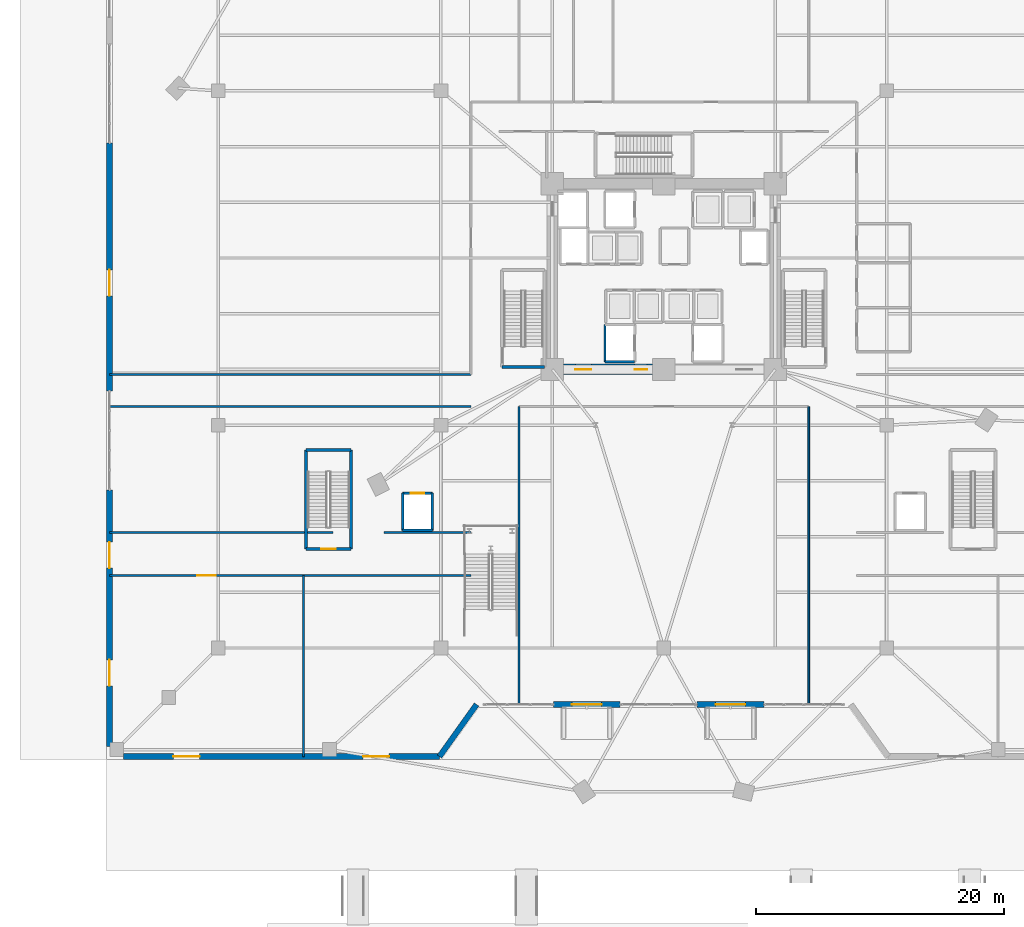
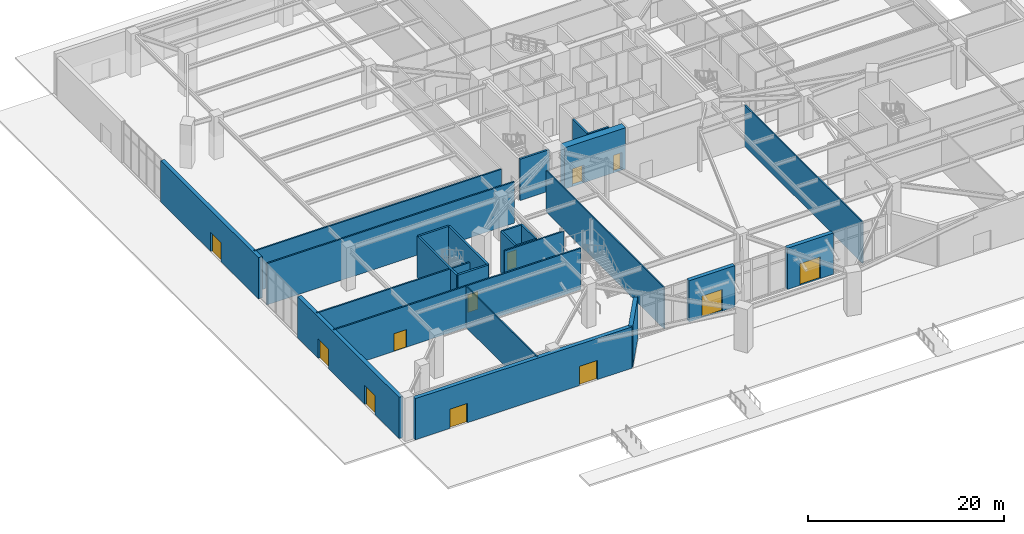
# One storey, part 17 of 30: 27 walls, 12 doors, 12 openings.
"""IFC4 building model written with IfcOpenShell, lengths in metres."""

from ifc_helpers import new_model, si_unit, direction, frame, frame_2d, origin, place, context, subcontext, project, spatial, rectangle, extrude, source, transform, mapped, material, layer, layer_set, type_object, element, fill, save


model = new_model("IFC4")

# Units and contexts
model_context = context("Model", 3, precision=1e-05, world=origin(), true_north=direction((0.0, 1.0)))
body_context = subcontext(model_context, "Body", "Model", "MODEL_VIEW")
ifc_project = project(units=[si_unit("LENGTHUNIT", "METRE"), si_unit("AREAUNIT", "SQUARE_METRE"), si_unit("VOLUMEUNIT", "CUBIC_METRE"), si_unit("PLANEANGLEUNIT", "RADIAN"), si_unit("MASSUNIT", "GRAM", prefix="KILO")], contexts=[model_context])

# Site, building, storey
site_placement = place(None, origin())
site = spatial("IfcSite", under=ifc_project, at=site_placement, CompositionType="ELEMENT")
building_placement = place(site_placement, origin())
building = spatial("IfcBuilding", under=site, at=building_placement, Name="Liaohun Quay Tower", CompositionType="ELEMENT")
storey_placement = place(building_placement, origin())
storey = spatial("IfcBuildingStorey", under=building, at=storey_placement, Name="L01", CompositionType="ELEMENT", Elevation=0.0)

# Wall, openings, doors
ifc_material_1 = material(Name="Concrete C60", Category="concrete")
ifc_layer_1 = layer(ifc_material_1, 0.85009765625, Name="Concrete C60", Category="concrete")
ifc_layer_set_1 = layer_set([ifc_layer_1], Name="Concrete C60")
wall_type_1 = type_object("IfcWallType", Name="WAL-COR-Z1", PredefinedType="SHEAR", material=ifc_layer_set_1)
wall_1_placement = place(storey_placement, frame((59.10009765625, 46.5, 0.0), z_axis=(0.0, 0.0, 1.0), x_axis=(-1.0, 0.0, 0.0)))
wall_1 = element("IfcWall", 1, at=wall_1_placement, inside=storey, type_object=wall_type_1, Name="L01 Central Core Shear Wall S-W", PredefinedType="SHEAR", context=body_context, shape_type="SweptSolid", body=[
    extrude(rectangle(XDim=7.2001953125, YDim=0.85009765625, at=frame_2d((3.60009765625, 0.0))), origin(), (0.0, 0.0, 1.0), 5.14990234375),
])
shared_shape_1 = source(origin(), body_context, "Body", "SweptSolid", [
    extrude(rectangle(XDim=1.300048828125, YDim=2.199951171875, at=frame_2d((0.64990234375, 1.10009765625))), frame((0.0, 0.43505859375, 0.0), z_axis=(0.0, -1.0, 0.0), x_axis=(1.0, 0.0, 0.0)), (0.0, 0.0, 1.0), 0.8701171875),
])
opening_1_placement = place(wall_1_placement, frame((4.949951171875, 0.0, 0.0)))
opening_1 = element("IfcOpeningElement", 2, at=opening_1_placement, cuts=wall_1, Name="Opening FD1", PredefinedType="OPENING", context=body_context, shape_type="MappedRepresentation", body=[
    mapped(shared_shape_1, transform((0.0, 0.0, 0.0), x_axis=(1.0, 0.0, 0.0), y_axis=(0.0, 1.0, 0.0), z_axis=(0.0, 0.0, 1.0), scale=1.0)),
])
shared_shape_2 = source(origin(), body_context, "Body", "SweptSolid", [
    extrude(rectangle(XDim=1.0, YDim=2.199951171875, at=frame_2d((0.5, 1.10009765625))), frame((0.0, 0.43505859375, 0.0), z_axis=(0.0, -1.0, 0.0), x_axis=(1.0, 0.0, 0.0)), (0.0, 0.0, 1.0), 0.8701171875),
])
opening_2_placement = place(wall_1_placement, frame((0.449951171875, 0.0, 0.0)))
opening_2 = element("IfcOpeningElement", 3, at=opening_2_placement, cuts=wall_1, Name="Opening FD2", PredefinedType="OPENING", context=body_context, shape_type="MappedRepresentation", body=[
    mapped(shared_shape_2, transform((0.0, 0.0, 0.0), x_axis=(1.0, 0.0, 0.0), y_axis=(0.0, 1.0, 0.0), z_axis=(0.0, 0.0, 1.0), scale=1.0)),
])
ifc_material_2 = material(Name="Galvanised steel smokeproof fire door", Category="steel")
door_type_1 = type_object("IfcDoorType", Name="DOR-FFL-1300", OperationType="NOTDEFINED", PredefinedType="DOOR", material=ifc_material_2)
shared_shape_3 = source(origin(), body_context, "Body", "SweptSolid", [
    extrude(rectangle(XDim=1.300048828125, YDim=2.199951171875, at=frame_2d((0.64990234375, 1.10009765625))), frame((0.0, 0.02490234375, 0.0), z_axis=(0.0, -1.0, 0.0), x_axis=(1.0, 0.0, 0.0)), (0.0, 0.0, 1.0), 0.050048828125),
])
door_1_placement = place(opening_1_placement, origin())
door_1 = element("IfcDoor", 4, at=door_1_placement, inside=storey, type_object=door_type_1, Name="L01 West Core Lift Lobby Smokeproof Door", OperationType="SINGLE_SWING_RIGHT", OverallHeight=2.199951171875, OverallWidth=1.300048828125, PredefinedType="DOOR", context=body_context, shape_type="MappedRepresentation", body=[
    mapped(shared_shape_3, transform((0.0, 0.0, 0.0), x_axis=(1.0, 0.0, 0.0), y_axis=(0.0, 1.0, 0.0), z_axis=(0.0, 0.0, 1.0), scale=1.0)),
])
fill(opening_1, door_1)
ifc_material_3 = material(Name="Galvanised steel smokeproof lobby fire door", Category="steel")
door_type_2 = type_object("IfcDoorType", Name="DOR-FFL-1000", OperationType="NOTDEFINED", PredefinedType="DOOR", material=ifc_material_3)
shared_shape_4 = source(origin(), body_context, "Body", "SweptSolid", [
    extrude(rectangle(XDim=1.0, YDim=2.199951171875, at=frame_2d((0.5, 1.10009765625))), frame((0.0, 0.02490234375, 0.0), z_axis=(0.0, -1.0, 0.0), x_axis=(1.0, 0.0, 0.0)), (0.0, 0.0, 1.0), 0.050048828125),
])
door_2_placement = place(opening_2_placement, origin())
door_2 = element("IfcDoor", 5, at=door_2_placement, inside=storey, type_object=door_type_2, Name="L01 South Firefighting Lobby Smokeproof Door", OperationType="SINGLE_SWING_LEFT", OverallHeight=2.199951171875, OverallWidth=1.0, PredefinedType="DOOR", context=body_context, shape_type="MappedRepresentation", body=[
    mapped(shared_shape_4, transform((0.0, 0.0, 0.0), x_axis=(1.0, 0.0, 0.0), y_axis=(0.0, 1.0, 0.0), z_axis=(0.0, 0.0, 1.0), scale=1.0)),
])
fill(opening_2, door_2)

# Wall
ifc_material_4 = material(Name="Precast concrete C50 with granite facing", Category="masonry")
ifc_layer_2 = layer(ifc_material_4, 0.4599609375, Name="Precast concrete C50 with granite facing", Category="masonry")
ifc_layer_set_2 = layer_set([ifc_layer_2], Name="Precast concrete C50 with granite facing")
wall_type_2 = type_object("IfcWallType", Name="WAL-EXT-POD", PredefinedType="SOLIDWALL", material=ifc_layer_set_2)
wall_2_placement = place(storey_placement, frame((41.882080078125, 15.22998046875, 0.0), z_axis=(0.0, 0.0, 1.0), x_axis=(0.581242668191, 0.813730275137, 0.0)))
element("IfcWall", 6, at=wall_2_placement, inside=storey, type_object=wall_type_2, Name="L01 Podium Precast Facade Wall 01", PredefinedType="SOLIDWALL", context=body_context, shape_type="SweptSolid", body=[
    extrude(rectangle(XDim=5.161376953125, YDim=0.4599609375, at=frame_2d((2.58056640625, 0.0))), origin(), (0.0, 0.0, 1.0), 5.14990234375),
])

# Wall, opening, door
wall_3_placement = place(storey_placement, frame((51.08203125, 19.429931640625, 0.0), z_axis=(0.0, 0.0, 1.0), x_axis=(1.0, 0.0, 0.0)))
wall_3 = element("IfcWall", 7, at=wall_3_placement, inside=storey, type_object=wall_type_2, Name="L01 Waterfront Entrance Portal Wall E", PredefinedType="SOLIDWALL", context=body_context, shape_type="SweptSolid", body=[
    extrude(rectangle(XDim=5.39990234375, YDim=0.4599609375, at=frame_2d((2.699951171875, 0.0))), origin(), (0.0, 0.0, 1.0), 5.14990234375),
])
shared_shape_5 = source(origin(), body_context, "Body", "SweptSolid", [
    extrude(rectangle(XDim=2.39990234375, YDim=2.699951171875, at=frame_2d((1.199951171875, 1.35009765625))), frame((0.0, 0.239990234375, 0.0), z_axis=(0.0, -1.0, 0.0), x_axis=(1.0, 0.0, 0.0)), (0.0, 0.0, 1.0), 0.47998046875),
])
opening_3_placement = place(wall_3_placement, frame((1.5, 0.0, 0.0)))
opening_3 = element("IfcOpeningElement", 8, at=opening_3_placement, cuts=wall_3, Name="Opening ED1", PredefinedType="OPENING", context=body_context, shape_type="MappedRepresentation", body=[
    mapped(shared_shape_5, transform((0.0, 0.0, 0.0), x_axis=(1.0, 0.0, 0.0), y_axis=(0.0, 1.0, 0.0), z_axis=(0.0, 0.0, 1.0), scale=1.0)),
])
ifc_material_5 = material(Name="Thermally broken bronze-anodised aluminium and glass", Category="aluminium")
door_type_3 = type_object("IfcDoorType", Name="DOR-ENTR-2400", OperationType="DOUBLE_DOOR_SINGLE_SWING", PredefinedType="DOOR", material=ifc_material_5)
shared_shape_6 = source(origin(), body_context, "Body", "SweptSolid", [
    extrude(rectangle(XDim=2.39990234375, YDim=2.699951171875, at=frame_2d((1.199951171875, 1.35009765625))), frame((0.0, 0.02490234375, 0.0), z_axis=(0.0, -1.0, 0.0), x_axis=(1.0, 0.0, 0.0)), (0.0, 0.0, 1.0), 0.050048828125),
])
door_3_placement = place(opening_3_placement, frame((2.39990234375, 0.0, 0.0), z_axis=(0.0, 0.0, 1.0), x_axis=(-1.0, 0.0, 0.0)))
door_3 = element("IfcDoor", 9, at=door_3_placement, inside=storey, type_object=door_type_3, Name="L01 Waterfront Main Entrance Door E", OperationType="DOUBLE_DOOR_SINGLE_SWING", OverallHeight=2.699951171875, OverallWidth=2.39990234375, PredefinedType="DOOR", context=body_context, shape_type="MappedRepresentation", body=[
    mapped(shared_shape_6, transform((0.0, 0.0, 0.0), x_axis=(1.0, 0.0, 0.0), y_axis=(0.0, 1.0, 0.0), z_axis=(0.0, 0.0, 1.0), scale=1.0)),
])
fill(opening_3, door_3)

wall_4_placement = place(storey_placement, frame((62.681884765625, 19.429931640625, 0.0), z_axis=(0.0, 0.0, 1.0), x_axis=(1.0, 0.0, 0.0)))
wall_4 = element("IfcWall", 10, at=wall_4_placement, inside=storey, type_object=wall_type_2, Name="L01 Waterfront Entrance Portal Wall W", PredefinedType="SOLIDWALL", context=body_context, shape_type="SweptSolid", body=[
    extrude(rectangle(XDim=5.400146484375, YDim=0.4599609375, at=frame_2d((2.7001953125, 0.0))), origin(), (0.0, 0.0, 1.0), 5.14990234375),
])
opening_4_placement = place(wall_4_placement, frame((1.5, 0.0, 0.0)))
opening_4 = element("IfcOpeningElement", 11, at=opening_4_placement, cuts=wall_4, Name="Opening ED1", PredefinedType="OPENING", context=body_context, shape_type="MappedRepresentation", body=[
    mapped(shared_shape_5, transform((0.0, 0.0, 0.0), x_axis=(1.0, 0.0, 0.0), y_axis=(0.0, 1.0, 0.0), z_axis=(0.0, 0.0, 1.0), scale=1.0)),
])
door_4_placement = place(opening_4_placement, frame((2.39990234375, 0.0, 0.0), z_axis=(0.0, 0.0, 1.0), x_axis=(-1.0, 0.0, 0.0)))
door_4 = element("IfcDoor", 12, at=door_4_placement, inside=storey, type_object=door_type_3, Name="L01 Waterfront Main Entrance Door W", OperationType="DOUBLE_DOOR_SINGLE_SWING", OverallHeight=2.699951171875, OverallWidth=2.39990234375, PredefinedType="DOOR", context=body_context, shape_type="MappedRepresentation", body=[
    mapped(shared_shape_6, transform((0.0, 0.0, 0.0), x_axis=(1.0, 0.0, 0.0), y_axis=(0.0, 1.0, 0.0), z_axis=(0.0, 0.0, 1.0), scale=1.0)),
])
fill(opening_4, door_4)

wall_5_placement = place(storey_placement, frame((15.22998046875, 64.77001953125, 0.0), z_axis=(0.0, 0.0, 1.0), x_axis=(0.0, -1.0, 0.0)))
wall_5 = element("IfcWall", 13, at=wall_5_placement, inside=storey, type_object=wall_type_2, Name="L01 Podium Precast Facade Wall 7-2", PredefinedType="SOLIDWALL", context=body_context, shape_type="SweptSolid", body=[
    extrude(rectangle(XDim=20.0, YDim=0.4599609375, at=frame_2d((10.0, 0.0))), origin(), (0.0, 0.0, 1.0), 5.14990234375),
])
shared_shape_7 = source(origin(), body_context, "Body", "SweptSolid", [
    extrude(rectangle(XDim=2.10009765625, YDim=2.39990234375, at=frame_2d((1.050048828125, 1.199951171875))), frame((0.0, 0.239990234375, 0.0), z_axis=(0.0, -1.0, 0.0), x_axis=(1.0, 0.0, 0.0)), (0.0, 0.0, 1.0), 0.47998046875),
])
opening_5_placement = place(wall_5_placement, frame((10.219970703125, 0.0, 0.0)))
opening_5 = element("IfcOpeningElement", 14, at=opening_5_placement, cuts=wall_5, Name="Opening EX", PredefinedType="OPENING", context=body_context, shape_type="MappedRepresentation", body=[
    mapped(shared_shape_7, transform((0.0, 0.0, 0.0), x_axis=(1.0, 0.0, 0.0), y_axis=(0.0, 1.0, 0.0), z_axis=(0.0, 0.0, 1.0), scale=1.0)),
])
ifc_material_6 = material(Name="Thermally broken glazed steel", Category="steel")
door_type_4 = type_object("IfcDoorType", Name="DOR-EXIT-2100", OperationType="DOUBLE_DOOR_SINGLE_SWING", PredefinedType="DOOR", material=ifc_material_6)
shared_shape_8 = source(origin(), body_context, "Body", "SweptSolid", [
    extrude(rectangle(XDim=2.10009765625, YDim=2.39990234375, at=frame_2d((1.050048828125, 1.199951171875))), frame((0.0, 0.02490234375, 0.0), z_axis=(0.0, -1.0, 0.0), x_axis=(1.0, 0.0, 0.0)), (0.0, 0.0, 1.0), 0.050048828125),
])
door_5_placement = place(opening_5_placement, frame((2.10009765625, 0.0, 0.0), z_axis=(0.0, 0.0, 1.0), x_axis=(-1.0, 0.0, 0.0)))
door_5 = element("IfcDoor", 15, at=door_5_placement, inside=storey, type_object=door_type_4, Name="L01 West Exit Discharge Door 4", OperationType="DOUBLE_DOOR_SINGLE_SWING", OverallHeight=2.39990234375, OverallWidth=2.10009765625, PredefinedType="DOOR", context=body_context, shape_type="MappedRepresentation", body=[
    mapped(shared_shape_8, transform((0.0, 0.0, 0.0), x_axis=(1.0, 0.0, 0.0), y_axis=(0.0, 1.0, 0.0), z_axis=(0.0, 0.0, 1.0), scale=1.0)),
])
fill(opening_5, door_5)

# Wall, openings, doors
wall_6_placement = place(storey_placement, frame((15.22998046875, 36.77001953125, 0.0), z_axis=(0.0, 0.0, 1.0), x_axis=(0.0, -1.0, 0.0)))
wall_6 = element("IfcWall", 16, at=wall_6_placement, inside=storey, type_object=wall_type_2, Name="L01 Podium Precast Facade Wall 7-3", PredefinedType="SOLIDWALL", context=body_context, shape_type="SweptSolid", body=[
    extrude(rectangle(XDim=20.739990234375, YDim=0.4599609375, at=frame_2d((10.3701171875, 0.0))), origin(), (0.0, 0.0, 1.0), 5.14990234375),
])
opening_6_placement = place(wall_6_placement, frame((13.719970703125, 0.0, 0.0)))
opening_6 = element("IfcOpeningElement", 17, at=opening_6_placement, cuts=wall_6, Name="Opening EX", PredefinedType="OPENING", context=body_context, shape_type="MappedRepresentation", body=[
    mapped(shared_shape_7, transform((0.0, 0.0, 0.0), x_axis=(1.0, 0.0, 0.0), y_axis=(0.0, 1.0, 0.0), z_axis=(0.0, 0.0, 1.0), scale=1.0)),
])
opening_7_placement = place(wall_6_placement, frame((4.219970703125, 0.0, 0.0)))
opening_7 = element("IfcOpeningElement", 18, at=opening_7_placement, cuts=wall_6, Name="Opening EX", PredefinedType="OPENING", context=body_context, shape_type="MappedRepresentation", body=[
    mapped(shared_shape_7, transform((0.0, 0.0, 0.0), x_axis=(1.0, 0.0, 0.0), y_axis=(0.0, 1.0, 0.0), z_axis=(0.0, 0.0, 1.0), scale=1.0)),
])
door_6_placement = place(opening_6_placement, frame((2.10009765625, 0.0, 0.0), z_axis=(0.0, 0.0, 1.0), x_axis=(-1.0, 0.0, 0.0)))
door_6 = element("IfcDoor", 19, at=door_6_placement, inside=storey, type_object=door_type_4, Name="L01 West Exit Discharge Door 1", OperationType="DOUBLE_DOOR_SINGLE_SWING", OverallHeight=2.39990234375, OverallWidth=2.10009765625, PredefinedType="DOOR", context=body_context, shape_type="MappedRepresentation", body=[
    mapped(shared_shape_8, transform((0.0, 0.0, 0.0), x_axis=(1.0, 0.0, 0.0), y_axis=(0.0, 1.0, 0.0), z_axis=(0.0, 0.0, 1.0), scale=1.0)),
])
fill(opening_6, door_6)
door_7_placement = place(opening_7_placement, frame((2.10009765625, 0.0, 0.0), z_axis=(0.0, 0.0, 1.0), x_axis=(-1.0, 0.0, 0.0)))
door_7 = element("IfcDoor", 20, at=door_7_placement, inside=storey, type_object=door_type_4, Name="L01 West Exit Discharge Door 2", OperationType="DOUBLE_DOOR_SINGLE_SWING", OverallHeight=2.39990234375, OverallWidth=2.10009765625, PredefinedType="DOOR", context=body_context, shape_type="MappedRepresentation", body=[
    mapped(shared_shape_8, transform((0.0, 0.0, 0.0), x_axis=(1.0, 0.0, 0.0), y_axis=(0.0, 1.0, 0.0), z_axis=(0.0, 0.0, 1.0), scale=1.0)),
])
fill(opening_7, door_7)

wall_7_placement = place(storey_placement, frame((16.340087890625, 15.22998046875, 0.0), z_axis=(0.0, 0.0, 1.0), x_axis=(1.0, 0.0, 0.0)))
wall_7 = element("IfcWall", 21, at=wall_7_placement, inside=storey, type_object=wall_type_2, Name="L01 Podium Precast Facade Wall 08", PredefinedType="SOLIDWALL", context=body_context, shape_type="SweptSolid", body=[
    extrude(rectangle(XDim=25.5419921875, YDim=0.4599609375, at=frame_2d((12.77099609375, 0.0))), origin(), (0.0, 0.0, 1.0), 5.14990234375),
])
opening_8_placement = place(wall_7_placement, frame((4.05810546875, 0.0, 0.0)))
opening_8 = element("IfcOpeningElement", 22, at=opening_8_placement, cuts=wall_7, Name="Opening EX", PredefinedType="OPENING", context=body_context, shape_type="MappedRepresentation", body=[
    mapped(shared_shape_7, transform((0.0, 0.0, 0.0), x_axis=(1.0, 0.0, 0.0), y_axis=(0.0, 1.0, 0.0), z_axis=(0.0, 0.0, 1.0), scale=1.0)),
])
opening_9_placement = place(wall_7_placement, frame((19.384033203125, 0.0, 0.0)))
opening_9 = element("IfcOpeningElement", 23, at=opening_9_placement, cuts=wall_7, Name="Opening EX", PredefinedType="OPENING", context=body_context, shape_type="MappedRepresentation", body=[
    mapped(shared_shape_7, transform((0.0, 0.0, 0.0), x_axis=(1.0, 0.0, 0.0), y_axis=(0.0, 1.0, 0.0), z_axis=(0.0, 0.0, 1.0), scale=1.0)),
])
door_8_placement = place(opening_8_placement, frame((2.10009765625, 0.0, 0.0), z_axis=(0.0, 0.0, 1.0), x_axis=(-1.0, 0.0, 0.0)))
door_8 = element("IfcDoor", 24, at=door_8_placement, inside=storey, type_object=door_type_4, Name="L01 SW Promenade Exit Discharge Door 1", OperationType="DOUBLE_DOOR_SINGLE_SWING", OverallHeight=2.39990234375, OverallWidth=2.10009765625, PredefinedType="DOOR", context=body_context, shape_type="MappedRepresentation", body=[
    mapped(shared_shape_8, transform((0.0, 0.0, 0.0), x_axis=(1.0, 0.0, 0.0), y_axis=(0.0, 1.0, 0.0), z_axis=(0.0, 0.0, 1.0), scale=1.0)),
])
fill(opening_8, door_8)
door_9_placement = place(opening_9_placement, frame((2.10009765625, 0.0, 0.0), z_axis=(0.0, 0.0, 1.0), x_axis=(-1.0, 0.0, 0.0)))
door_9 = element("IfcDoor", 25, at=door_9_placement, inside=storey, type_object=door_type_4, Name="L01 SW Promenade Exit Discharge Door 3", OperationType="DOUBLE_DOOR_SINGLE_SWING", OverallHeight=2.39990234375, OverallWidth=2.10009765625, PredefinedType="DOOR", context=body_context, shape_type="MappedRepresentation", body=[
    mapped(shared_shape_8, transform((0.0, 0.0, 0.0), x_axis=(1.0, 0.0, 0.0), y_axis=(0.0, 1.0, 0.0), z_axis=(0.0, 0.0, 1.0), scale=1.0)),
])
fill(opening_9, door_9)

# Wall, opening, door
ifc_material_7 = material(Name="Autoclaved aerated concrete blockwork", Category="masonry")
ifc_layer_3 = layer(ifc_material_7, 0.179931640625, Name="Autoclaved aerated concrete blockwork", Category="masonry")
ifc_layer_set_3 = layer_set([ifc_layer_3], Name="Autoclaved aerated concrete blockwork")
wall_type_3 = type_object("IfcWallType", Name="WAL-PRT-COR", PredefinedType="PARTITIONING", material=ifc_layer_set_3)
wall_8_placement = place(storey_placement, frame((15.22509765625, 29.85009765625, 0.0), z_axis=(0.0, 0.0, 1.0), x_axis=(1.0, 0.0, 0.0)))
wall_8 = element("IfcWall", 26, at=wall_8_placement, inside=storey, type_object=wall_type_3, Name="L01 Interior Partition Wall 011", PredefinedType="PARTITIONING", context=body_context, shape_type="SweptSolid", body=[
    extrude(rectangle(XDim=15.6748046875, YDim=0.179931640625, at=frame_2d((7.83740234375, 0.0))), origin(), (0.0, 0.0, 1.0), 5.14990234375),
])
shared_shape_9 = source(origin(), body_context, "Body", "SweptSolid", [
    extrude(rectangle(XDim=1.5, YDim=2.199951171875, at=frame_2d((0.75, 1.10009765625))), frame((0.0, 0.099853515625, 0.0), z_axis=(0.0, -1.0, 0.0), x_axis=(1.0, 0.0, 0.0)), (0.0, 0.0, 1.0), 0.199951171875),
])
opening_10_placement = place(wall_8_placement, frame((7.0869140625, 0.0, 0.0)))
opening_10 = element("IfcOpeningElement", 27, at=opening_10_placement, cuts=wall_8, Name="Opening OD2", PredefinedType="OPENING", context=body_context, shape_type="MappedRepresentation", body=[
    mapped(shared_shape_9, transform((0.0, 0.0, 0.0), x_axis=(1.0, 0.0, 0.0), y_axis=(0.0, 1.0, 0.0), z_axis=(0.0, 0.0, 1.0), scale=1.0)),
])
ifc_material_8 = material(Name="Acoustic oak veneer double door")
door_type_5 = type_object("IfcDoorType", Name="DOR-OFF-1500", OperationType="DOUBLE_DOOR_SINGLE_SWING", PredefinedType="DOOR", material=ifc_material_8)
shared_shape_10 = source(origin(), body_context, "Body", "SweptSolid", [
    extrude(rectangle(XDim=1.5, YDim=2.199951171875, at=frame_2d((0.75, 1.10009765625))), frame((0.0, 0.02490234375, 0.0), z_axis=(0.0, -1.0, 0.0), x_axis=(1.0, 0.0, 0.0)), (0.0, 0.0, 1.0), 0.050048828125),
])
door_10_placement = place(opening_10_placement, origin())
door_10 = element("IfcDoor", 28, at=door_10_placement, inside=storey, type_object=door_type_5, Name="L01 Riverfront Flagship Retail West Door", OperationType="DOUBLE_DOOR_SINGLE_SWING", OverallHeight=2.199951171875, OverallWidth=1.5, PredefinedType="DOOR", context=body_context, shape_type="MappedRepresentation", body=[
    mapped(shared_shape_10, transform((0.0, 0.0, 0.0), x_axis=(1.0, 0.0, 0.0), y_axis=(0.0, 1.0, 0.0), z_axis=(0.0, 0.0, 1.0), scale=1.0)),
])
fill(opening_10, door_10)

# Walls
for number, where, z_axis, x_axis, name in (
    (29, (15.22509765625, 46.10009765625, 0.0), (0.0, 0.0, 1.0), (1.0, 0.0, 0.0), "L01 Interior Partition Wall 024"),
    (30, (15.22509765625, 43.5, 0.0), (0.0, 0.0, 1.0), (1.0, 0.0, 0.0), "L01 Interior Partition Wall 031"),
):
    element("IfcWall", number, at=place(storey_placement, frame(where, z_axis=z_axis, x_axis=x_axis)), inside=storey, type_object=wall_type_3, Name=name, PredefinedType="PARTITIONING", context=body_context, shape_type="SweptSolid", body=[
        extrude(rectangle(XDim=29.19482421875, YDim=0.179931640625, at=frame_2d((14.597412109375, 0.0))), origin(), (0.0, 0.0, 1.0), 5.14990234375),
    ])
wall_9_placement = place(storey_placement, frame((30.89990234375, 29.85009765625, 0.0), z_axis=(0.0, 0.0, 1.0), x_axis=(1.0, 0.0, 0.0)))
element("IfcWall", 31, at=wall_9_placement, inside=storey, type_object=wall_type_3, Name="L01 Interior Partition Wall 033", PredefinedType="PARTITIONING", context=body_context, shape_type="SweptSolid", body=[
    extrude(rectangle(XDim=13.52001953125, YDim=0.179931640625, at=frame_2d((6.760009765625, 0.0))), origin(), (0.0, 0.0, 1.0), 5.14990234375),
])
wall_10_placement = place(storey_placement, frame((15.22509765625, 33.320068359375, 0.0), z_axis=(0.0, 0.0, 1.0), x_axis=(1.0, 0.0, 0.0)))
element("IfcWall", 32, at=wall_10_placement, inside=storey, type_object=wall_type_3, Name="L01 Interior Partition Wall 035", PredefinedType="PARTITIONING", context=body_context, shape_type="SweptSolid", body=[
    extrude(rectangle(XDim=18.074951171875, YDim=0.179931640625, at=frame_2d((9.03759765625, 0.0))), origin(), (0.0, 0.0, 1.0), 5.14990234375),
])
wall_11_placement = place(storey_placement, frame((37.39990234375, 33.320068359375, 0.0), z_axis=(0.0, 0.0, 1.0), x_axis=(1.0, 0.0, 0.0)))
element("IfcWall", 33, at=wall_11_placement, inside=storey, type_object=wall_type_3, Name="L01 Interior Partition Wall 036", PredefinedType="PARTITIONING", context=body_context, shape_type="SweptSolid", body=[
    extrude(rectangle(XDim=7.02001953125, YDim=0.179931640625, at=frame_2d((3.510009765625, 0.0))), origin(), (0.0, 0.0, 1.0), 5.14990234375),
])
ifc_material_9 = material(Name="Gypsum board on twin steel studs", Category="steel")
ifc_layer_4 = layer(ifc_material_9, 0.139892578125, Name="Gypsum board on twin steel studs", Category="steel")
ifc_layer_set_4 = layer_set([ifc_layer_4], Name="Gypsum board on twin steel studs")
wall_type_4 = type_object("IfcWallType", Name="WAL-PRT-OFF", PredefinedType="PARTITIONING", material=ifc_layer_set_4)
wall_12_placement = place(storey_placement, frame((30.89990234375, 15.22509765625, 0.0), z_axis=(0.0, 0.0, 1.0), x_axis=(0.0, 1.0, 0.0)))
element("IfcWall", 34, at=wall_12_placement, inside=storey, type_object=wall_type_4, Name="L01 Interior Partition Wall 039", PredefinedType="PARTITIONING", context=body_context, shape_type="SweptSolid", body=[
    extrude(rectangle(XDim=14.625, YDim=0.139892578125, at=frame_2d((7.3125, 0.0))), origin(), (0.0, 0.0, 1.0), 5.14990234375),
])
for number, where, z_axis, x_axis, name in (
    (35, (48.300048828125, 19.425048828125, 0.0), (0.0, 0.0, 1.0), (0.0, 1.0, 0.0), "L01 Interior Partition Wall 041"),
    (36, (71.699951171875, 19.425048828125, 0.0), (0.0, 0.0, 1.0), (0.0, 1.0, 0.0), "L01 Interior Partition Wall 042"),
):
    element("IfcWall", number, at=place(storey_placement, frame(where, z_axis=z_axis, x_axis=x_axis)), inside=storey, type_object=wall_type_4, Name=name, PredefinedType="PARTITIONING", context=body_context, shape_type="SweptSolid", body=[
        extrude(rectangle(XDim=24.074951171875, YDim=0.139892578125, at=frame_2d((12.03759765625, 0.0))), origin(), (0.0, 0.0, 1.0), 5.14990234375),
    ])
ifc_material_10 = material(Name="Concrete C50", Category="concrete")
ifc_layer_5 = layer(ifc_material_10, 0.239990234375, Name="Concrete C50", Category="concrete")
ifc_layer_set_5 = layer_set([ifc_layer_5], Name="Concrete C50")
wall_type_5 = type_object("IfcWallType", Name="WAL-SHF-200", PredefinedType="SOLIDWALL", material=ifc_layer_set_5)
wall_13_placement = place(storey_placement, frame((46.93994140625, 46.699951171875, 0.0), z_axis=(0.0, 0.0, 1.0), x_axis=(1.0, 0.0, 0.0)))
element("IfcWall", 37, at=wall_13_placement, inside=storey, type_object=wall_type_5, Name="L01 Stairwell ST-1 Structural Core Wall S", PredefinedType="SOLIDWALL", context=body_context, shape_type="SweptSolid", body=[
    extrude(rectangle(XDim=3.43994140625, YDim=0.239990234375, at=frame_2d((1.719970703125, 0.0))), origin(), (0.0, 0.0, 1.0), 5.14990234375),
])

# Wall, opening, door
wall_14_placement = place(storey_placement, frame((31.10009765625, 32.0, 0.0), z_axis=(0.0, 0.0, 1.0), x_axis=(1.0, 0.0, 0.0)))
wall_14 = element("IfcWall", 38, at=wall_14_placement, inside=storey, type_object=wall_type_5, Name="L01 Stairwell ST-P1 Structural Core Wall S", PredefinedType="SOLIDWALL", context=body_context, shape_type="SweptSolid", body=[
    extrude(rectangle(XDim=3.639892578125, YDim=0.239990234375, at=frame_2d((1.81982421875, 0.0))), origin(), (0.0, 0.0, 1.0), 5.14990234375),
])
shared_shape_11 = source(origin(), body_context, "Body", "SweptSolid", [
    extrude(rectangle(XDim=1.199951171875, YDim=2.199951171875, at=frame_2d((0.60009765625, 1.10009765625))), frame((0.0, 0.1298828125, 0.0), z_axis=(0.0, -1.0, 0.0), x_axis=(1.0, 0.0, 0.0)), (0.0, 0.0, 1.0), 0.260009765625),
])
opening_11_placement = place(wall_14_placement, frame((1.219970703125, 0.0, 0.0)))
opening_11 = element("IfcOpeningElement", 39, at=opening_11_placement, cuts=wall_14, Name="Opening SD1", PredefinedType="OPENING", context=body_context, shape_type="MappedRepresentation", body=[
    mapped(shared_shape_11, transform((0.0, 0.0, 0.0), x_axis=(1.0, 0.0, 0.0), y_axis=(0.0, 1.0, 0.0), z_axis=(0.0, 0.0, 1.0), scale=1.0)),
])
ifc_material_11 = material(Name="Galvanised steel fire door", Category="steel")
door_type_6 = type_object("IfcDoorType", Name="DOR-STR-1200", OperationType="NOTDEFINED", PredefinedType="DOOR", material=ifc_material_11)
shared_shape_12 = source(origin(), body_context, "Body", "SweptSolid", [
    extrude(rectangle(XDim=1.199951171875, YDim=2.199951171875, at=frame_2d((0.60009765625, 1.10009765625))), frame((0.0, 0.02490234375, 0.0), z_axis=(0.0, -1.0, 0.0), x_axis=(1.0, 0.0, 0.0)), (0.0, 0.0, 1.0), 0.050048828125),
])
door_11_placement = place(opening_11_placement, origin())
door_11 = element("IfcDoor", 40, at=door_11_placement, inside=storey, type_object=door_type_6, Name="L01 Protected Stair ST-P1 Fire Door", OperationType="SINGLE_SWING_LEFT", OverallHeight=2.199951171875, OverallWidth=1.199951171875, PredefinedType="DOOR", context=body_context, shape_type="MappedRepresentation", body=[
    mapped(shared_shape_12, transform((0.0, 0.0, 0.0), x_axis=(1.0, 0.0, 0.0), y_axis=(0.0, 1.0, 0.0), z_axis=(0.0, 0.0, 1.0), scale=1.0)),
])
fill(opening_11, door_11)

# Walls
wall_15_placement = place(storey_placement, frame((34.739990234375, 32.0, 0.0), z_axis=(0.0, 0.0, 1.0), x_axis=(0.0, 1.0, 0.0)))
element("IfcWall", 41, at=wall_15_placement, inside=storey, type_object=wall_type_5, Name="L01 Stairwell ST-P1 Structural Core Wall E", PredefinedType="SOLIDWALL", context=body_context, shape_type="SweptSolid", body=[
    extrude(rectangle(XDim=8.0, YDim=0.239990234375, at=frame_2d((4.0, 0.0))), origin(), (0.0, 0.0, 1.0), 5.14990234375),
])
wall_16_placement = place(storey_placement, frame((34.739990234375, 40.0, 0.0), z_axis=(0.0, 0.0, 1.0), x_axis=(-1.0, 0.0, 0.0)))
element("IfcWall", 42, at=wall_16_placement, inside=storey, type_object=wall_type_5, Name="L01 Stairwell ST-P1 Structural Core Wall N", PredefinedType="SOLIDWALL", context=body_context, shape_type="SweptSolid", body=[
    extrude(rectangle(XDim=3.639892578125, YDim=0.239990234375, at=frame_2d((1.81982421875, 0.0))), origin(), (0.0, 0.0, 1.0), 5.14990234375),
])
wall_17_placement = place(storey_placement, frame((31.10009765625, 40.0, 0.0), z_axis=(0.0, 0.0, 1.0), x_axis=(0.0, -1.0, 0.0)))
element("IfcWall", 43, at=wall_17_placement, inside=storey, type_object=wall_type_5, Name="L01 Stairwell ST-P1 Structural Core Wall W", PredefinedType="SOLIDWALL", context=body_context, shape_type="SweptSolid", body=[
    extrude(rectangle(XDim=8.0, YDim=0.239990234375, at=frame_2d((4.0, 0.0))), origin(), (0.0, 0.0, 1.0), 5.14990234375),
])
wall_18_placement = place(storey_placement, frame((55.25, 47.1201171875, 0.0), z_axis=(0.0, 0.0, 1.0), x_axis=(1.0, 0.0, 0.0)))
element("IfcWall", 44, at=wall_18_placement, inside=storey, type_object=wall_type_5, Name="L01 Lift FF-01 Hoistway Wall S", PredefinedType="SOLIDWALL", context=body_context, shape_type="SweptSolid", body=[
    extrude(rectangle(XDim=2.39990234375, YDim=0.199951171875, at=frame_2d((1.199951171875, 0.0))), origin(), (0.0, 0.0, 1.0), 5.14990234375),
])
wall_19_placement = place(storey_placement, frame((55.25, 50.1201171875, 0.0), z_axis=(0.0, 0.0, 1.0), x_axis=(0.0, -1.0, 0.0)))
element("IfcWall", 45, at=wall_19_placement, inside=storey, type_object=wall_type_5, Name="L01 Lift FF-01 Hoistway Wall W", PredefinedType="SOLIDWALL", context=body_context, shape_type="SweptSolid", body=[
    extrude(rectangle(XDim=3.0, YDim=0.199951171875, at=frame_2d((1.5, 0.0))), origin(), (0.0, 0.0, 1.0), 5.14990234375),
])
wall_20_placement = place(storey_placement, frame((38.89990234375, 33.5, 0.0), z_axis=(0.0, 0.0, 1.0), x_axis=(1.0, 0.0, 0.0)))
element("IfcWall", 46, at=wall_20_placement, inside=storey, type_object=wall_type_5, Name="L01 Lift PD-01 Hoistway Wall S", PredefinedType="SOLIDWALL", context=body_context, shape_type="SweptSolid", body=[
    extrude(rectangle(XDim=2.400146484375, YDim=0.199951171875, at=frame_2d((1.2001953125, 0.0))), origin(), (0.0, 0.0, 1.0), 5.14990234375),
])
wall_21_placement = place(storey_placement, frame((41.300048828125, 33.5, 0.0), z_axis=(0.0, 0.0, 1.0), x_axis=(0.0, 1.0, 0.0)))
element("IfcWall", 47, at=wall_21_placement, inside=storey, type_object=wall_type_5, Name="L01 Lift PD-01 Hoistway Wall E", PredefinedType="SOLIDWALL", context=body_context, shape_type="SweptSolid", body=[
    extrude(rectangle(XDim=3.0, YDim=0.199951171875, at=frame_2d((1.5, 0.0))), origin(), (0.0, 0.0, 1.0), 5.14990234375),
])

# Wall, opening, door
wall_22_placement = place(storey_placement, frame((41.300048828125, 36.5, 0.0), z_axis=(0.0, 0.0, 1.0), x_axis=(-1.0, 0.0, 0.0)))
wall_22 = element("IfcWall", 48, at=wall_22_placement, inside=storey, type_object=wall_type_5, Name="L01 Lift PD-01 Hoistway Wall N", PredefinedType="SOLIDWALL", context=body_context, shape_type="SweptSolid", body=[
    extrude(rectangle(XDim=2.400146484375, YDim=0.199951171875, at=frame_2d((1.2001953125, 0.0))), origin(), (0.0, 0.0, 1.0), 5.14990234375),
])
shared_shape_13 = source(origin(), body_context, "Body", "SweptSolid", [
    extrude(rectangle(XDim=1.10009765625, YDim=2.199951171875, at=frame_2d((0.550048828125, 1.10009765625))), frame((0.0, 0.10986328125, 0.0), z_axis=(0.0, -1.0, 0.0), x_axis=(1.0, 0.0, 0.0)), (0.0, 0.0, 1.0), 0.219970703125),
])
opening_12_placement = place(wall_22_placement, frame((0.64990234375, 0.0, 0.0)))
opening_12 = element("IfcOpeningElement", 49, at=opening_12_placement, cuts=wall_22, Name="Opening LD1", PredefinedType="OPENING", context=body_context, shape_type="MappedRepresentation", body=[
    mapped(shared_shape_13, transform((0.0, 0.0, 0.0), x_axis=(1.0, 0.0, 0.0), y_axis=(0.0, 1.0, 0.0), z_axis=(0.0, 0.0, 1.0), scale=1.0)),
])
ifc_material_12 = material(Name="Brushed stainless steel landing door", Category="steel")
door_type_7 = type_object("IfcDoorType", Name="DOR-LFT-1100", OperationType="SLIDING_TO_LEFT", PredefinedType="DOOR", material=ifc_material_12)
shared_shape_14 = source(origin(), body_context, "Body", "SweptSolid", [
    extrude(rectangle(XDim=1.10009765625, YDim=2.199951171875, at=frame_2d((0.550048828125, 1.10009765625))), frame((0.0, 0.02490234375, 0.0), z_axis=(0.0, -1.0, 0.0), x_axis=(1.0, 0.0, 0.0)), (0.0, 0.0, 1.0), 0.050048828125),
])
door_12_placement = place(opening_12_placement, origin())
door_12 = element("IfcDoor", 50, at=door_12_placement, inside=storey, type_object=door_type_7, Name="L01 Lift PD-01 Sliding Landing Door", OperationType="SLIDING_TO_LEFT", OverallHeight=2.199951171875, OverallWidth=1.10009765625, PredefinedType="DOOR", context=body_context, shape_type="MappedRepresentation", body=[
    mapped(shared_shape_14, transform((0.0, 0.0, 0.0), x_axis=(1.0, 0.0, 0.0), y_axis=(0.0, 1.0, 0.0), z_axis=(0.0, 0.0, 1.0), scale=1.0)),
])
fill(opening_12, door_12)

# Wall
wall_23_placement = place(storey_placement, frame((38.89990234375, 36.5, 0.0), z_axis=(0.0, 0.0, 1.0), x_axis=(0.0, -1.0, 0.0)))
element("IfcWall", 51, at=wall_23_placement, inside=storey, type_object=wall_type_5, Name="L01 Lift PD-01 Hoistway Wall W", PredefinedType="SOLIDWALL", context=body_context, shape_type="SweptSolid", body=[
    extrude(rectangle(XDim=3.0, YDim=0.199951171875, at=frame_2d((1.5, 0.0))), origin(), (0.0, 0.0, 1.0), 5.14990234375),
])

save(model, "model.ifc")
